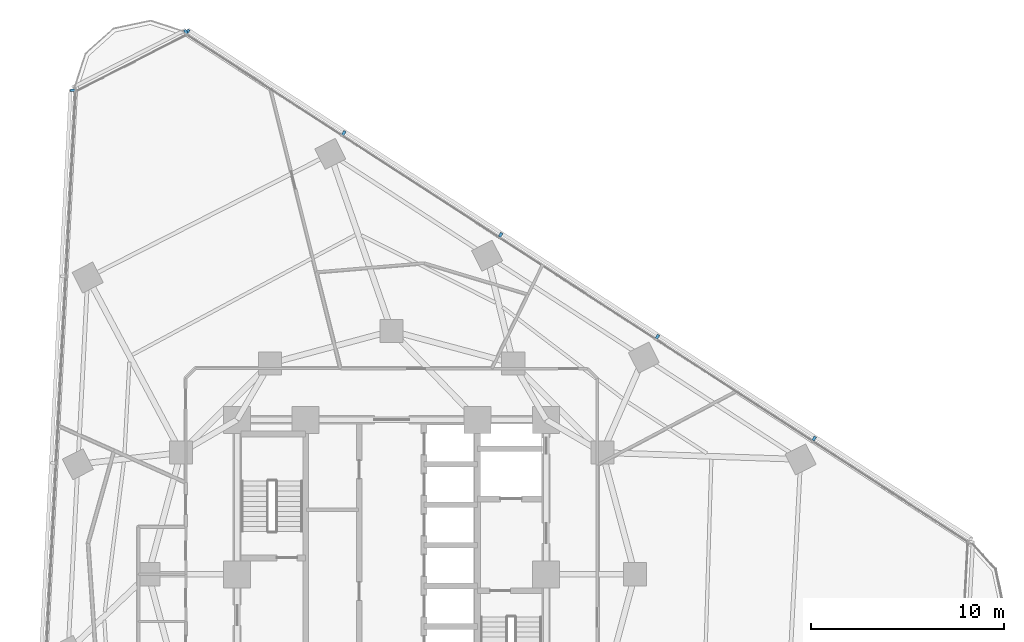
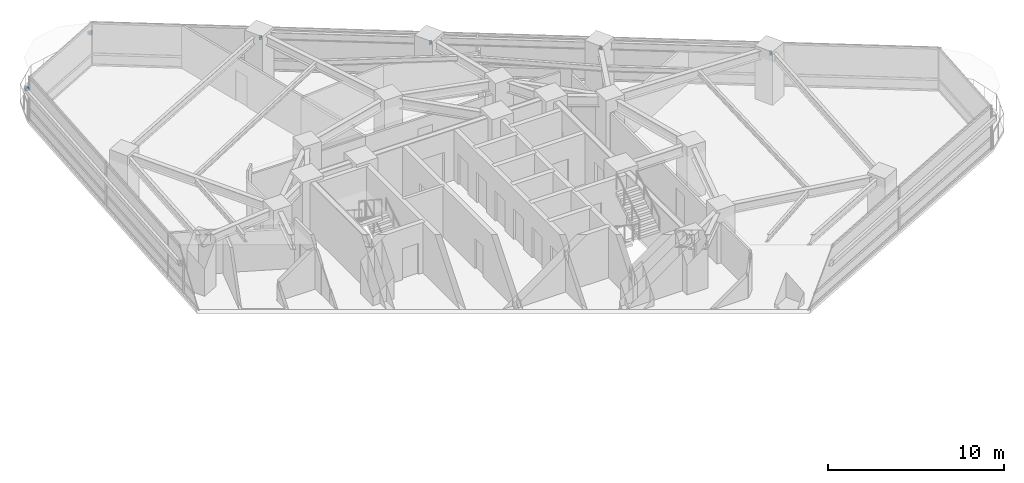
# One storey, part 11 of 14: 7 discrete accessories.
"""IFC4 building model written with IfcOpenShell, lengths in metres."""

import ifcopenshell
import ifcopenshell.guid

model = None  # the IFC model being written
_history = None  # IfcOwnerHistory: only IFC2X3 demands one
_inside = {}  # id of a spatial element -> (the spatial element, [elements in it])
_under = {}  # id of a project, library or spatial element -> (it, [spatial elements below it])
_declared = {}  # id of a project -> (the project, [libraries it declares])
_typed = {}  # id of a type object -> (the type object, [elements of that type])
_made_of = {}  # id of a material, layer set ... -> (it, [elements and type objects made of it])


def new_model(schema):
    """Start an empty IFC model of exactly this schema.

    Asked for "IFC4X3", IfcOpenShell would pick the latest addendum, in which some entities
    have other attributes; the version numbers below select the first issue.
    IFC2X3 requires an IfcOwnerHistory on every rooted entity: one is made here for all.
    """
    global model, _history
    if schema == "IFC4X3":
        model = ifcopenshell.file(schema_version=(4, 3, 0, 0))
    else:
        model = ifcopenshell.file(schema=schema)
    _inside.clear()
    _under.clear()
    _declared.clear()
    _typed.clear()
    _made_of.clear()
    _history = None
    if model.schema == "IFC2X3":
        org = make("IfcOrganization", Name="unknown")
        user = make(
            "IfcPersonAndOrganization",
            ThePerson=make("IfcPerson", FamilyName="unknown"),
            TheOrganization=org,
        )
        app = make(
            "IfcApplication",
            ApplicationDeveloper=org,
            Version="unknown",
            ApplicationFullName="unknown",
            ApplicationIdentifier="unknown",
        )
        _history = make(
            "IfcOwnerHistory",
            OwningUser=user,
            OwningApplication=app,
            ChangeAction="ADDED",
            CreationDate=0,
        )
    return model


def make(cls, **values):
    """One entity of the class cls with the attributes given. An attribute that is None is left unset."""
    return model.create_entity(
        cls, **{name: value for name, value in values.items() if value is not None}
    )


def rooted(cls, **values):
    """An entity with a GlobalId (a new one), such as an element, a storey or a relation."""
    return make(cls, GlobalId=ifcopenshell.guid.new(), OwnerHistory=_history, **values)


def si_unit(unit_type, name, prefix=None):
    """IfcSIUnit, for example si_unit("LENGTHUNIT", "METRE", prefix="MILLI")."""
    return make("IfcSIUnit", UnitType=unit_type, Prefix=prefix, Name=name)


def assignment(units):
    """IfcUnitAssignment: the units of a project."""
    return None if units is None else make("IfcUnitAssignment", Units=units)


def point(xyz):
    """IfcCartesianPoint."""
    return None if xyz is None else make("IfcCartesianPoint", Coordinates=xyz)


def direction(xyz):
    """IfcDirection."""
    return None if xyz is None else make("IfcDirection", DirectionRatios=xyz)


def frame(location, z_axis=None, x_axis=None):
    """IfcAxis2Placement3D, a coordinate frame: its origin and axes. An axis left out is left unset."""
    return make(
        "IfcAxis2Placement3D",
        Location=point(location),
        Axis=direction(z_axis),
        RefDirection=direction(x_axis),
    )


def frame_2d(location, x_axis=None):
    """IfcAxis2Placement2D, a coordinate frame in the plane: its origin and x axis."""
    return make(
        "IfcAxis2Placement2D", Location=point(location), RefDirection=direction(x_axis)
    )


def origin():
    """The frame at (0, 0, 0) with its axes left unset."""
    return frame((0.0, 0.0, 0.0))


def origin_2d():
    """The frame at (0, 0) in the plane with its x axis left unset."""
    return frame_2d((0.0, 0.0))


def place(relative_to, where):
    """IfcLocalPlacement: puts the frame where relative to a parent placement (None: the world)."""
    return make(
        "IfcLocalPlacement", PlacementRelTo=relative_to, RelativePlacement=where
    )


def context(
    kind, dimensions, precision=None, world=None, true_north=None, identifier=None
):
    """IfcGeometricRepresentationContext, for example the 3D "Model" context."""
    return make(
        "IfcGeometricRepresentationContext",
        ContextIdentifier=identifier,
        ContextType=kind,
        CoordinateSpaceDimension=dimensions,
        Precision=precision,
        WorldCoordinateSystem=world,
        TrueNorth=true_north,
    )


def subcontext(parent, identifier, kind, view, scale=None):
    """IfcGeometricRepresentationSubContext, for example "Body" below "Model"."""
    return make(
        "IfcGeometricRepresentationSubContext",
        ContextIdentifier=identifier,
        ContextType=kind,
        ParentContext=parent,
        TargetScale=scale,
        TargetView=view,
    )


def project(units=None, contexts=None):
    """IfcProject with its units and contexts."""
    return rooted(
        "IfcProject",
        Name="project",
        RepresentationContexts=contexts,
        UnitsInContext=assignment(units),
    )


def spatial(cls, under=None, at=None, **own):
    """A site, building, storey or space (cls), placed at a placement, below another one or the project."""
    s = rooted(cls, ObjectPlacement=at, **own)
    if under is not None:
        _under.setdefault(under.id(), (under, []))[1].append(s)
    return s


def profile(cls, at=None, kind="AREA", **sizes):
    """A parametric profile (cls). Its sizes go by their IFC names, for example OverallWidth=200.0."""
    return make(cls, ProfileType=kind, Position=at, **sizes)


def rectangle(**sizes):
    """IfcRectangleProfileDef."""
    return profile("IfcRectangleProfileDef", **sizes)


def extrude(swept, where, along, depth):
    """IfcExtrudedAreaSolid: the profile swept, set in the frame where, extruded along a direction by depth."""
    return make(
        "IfcExtrudedAreaSolid",
        SweptArea=swept,
        Position=where,
        ExtrudedDirection=direction(along),
        Depth=depth,
    )


def shape(context_of_items, identifier, shape_type, items):
    """IfcShapeRepresentation: the items that make up one representation, for example the "Body"."""
    return make(
        "IfcShapeRepresentation",
        ContextOfItems=context_of_items,
        RepresentationIdentifier=identifier,
        RepresentationType=shape_type,
        Items=items,
    )


def material(Name=None, Category=None):
    """IfcMaterial."""
    return make("IfcMaterial", Name=Name, Category=Category)


def made_of(thing, what):
    """Note that an element or type object is made of a material, layer set ...; save() writes the relation."""
    if what is not None:
        _made_of.setdefault(what.id(), (what, []))[1].append(thing)
    return thing


def type_object(cls, material=None, **own):
    """A type object (cls), such as IfcWallType, which elements share."""
    return made_of(rooted(cls, **own), material)


def element(
    cls,
    number,
    at=None,
    inside=None,
    cuts=None,
    type_object=None,
    material=None,
    context=None,
    identifier="Body",
    shape_type=None,
    held_by="IfcProductDefinitionShape",
    body=None,
    shapes=None,
    **own,
):
    """One element of the class cls, such as IfcWall. Its Tag is "e" and its number.

    at: its placement. inside: the storey or other place that contains it. cuts: it is an
    opening in that element (IfcRelVoidsElement). A single representation is given by context,
    identifier, shape_type and body (its items); several are given by shapes. held_by: the class
    of the entity that holds the representations. save() writes the other relations.
    """
    e = rooted(cls, Tag="e%d" % number, ObjectPlacement=at, **own)
    if body is not None:
        shapes = [shape(context, identifier, shape_type, body)]
    if shapes is not None:
        e.Representation = make(held_by, Representations=shapes)
    if inside is not None:
        _inside.setdefault(inside.id(), (inside, []))[1].append(e)
    if cuts is not None:
        rooted(
            "IfcRelVoidsElement", RelatingBuildingElement=cuts, RelatedOpeningElement=e
        )
    if type_object is not None:
        _typed.setdefault(type_object.id(), (type_object, []))[1].append(e)
    return made_of(e, material)


def aggregate(whole, parts):
    """IfcRelAggregates: a whole, such as a stair, and the parts it consists of."""
    return rooted("IfcRelAggregates", RelatingObject=whole, RelatedObjects=parts)


def save(model, path):
    """Write the relations noted so far, then the file.

    IfcRelAggregates (storeys below a building ...), IfcRelContainedInSpatialStructure (elements
    in a storey), IfcRelDefinesByType, IfcRelAssociatesMaterial and IfcRelDeclares: one each for
    every whole, place, type object, material and project.
    """
    for whole, parts in _under.values():
        aggregate(whole, parts)
    for where, things in _inside.values():
        rooted(
            "IfcRelContainedInSpatialStructure",
            RelatedElements=things,
            RelatingStructure=where,
        )
    for kind, things in _typed.values():
        rooted("IfcRelDefinesByType", RelatedObjects=things, RelatingType=kind)
    for what, things in _made_of.values():
        rooted("IfcRelAssociatesMaterial", RelatedObjects=things, RelatingMaterial=what)
    for by, libraries in _declared.values():
        rooted("IfcRelDeclares", RelatingContext=by, RelatedDefinitions=libraries)
    model.write(path)


model = new_model("IFC4")

# Units and contexts
model_context = context("Model", 3, precision=1e-05, world=origin(), true_north=direction((0.0, 1.0)))
body_context = subcontext(model_context, "Body", "Model", "MODEL_VIEW")
ifc_project = project(units=[si_unit("LENGTHUNIT", "METRE"), si_unit("AREAUNIT", "SQUARE_METRE"), si_unit("VOLUMEUNIT", "CUBIC_METRE"), si_unit("PLANEANGLEUNIT", "RADIAN"), si_unit("MASSUNIT", "GRAM", prefix="KILO")], contexts=[model_context])

# Site, building, storey
site_placement = place(None, origin())
site = spatial("IfcSite", under=ifc_project, at=site_placement, CompositionType="ELEMENT")
building_placement = place(site_placement, origin())
building = spatial("IfcBuilding", under=site, at=building_placement, Name="Terralouvre Media Tower", CompositionType="ELEMENT")
storey_placement = place(building_placement, frame((0.0, 0.0, 138.39990234375)))
storey = spatial("IfcBuildingStorey", under=building, at=storey_placement, Name="L35", CompositionType="ELEMENT", Elevation=138.39990234375)

# Discrete accessories
ifc_material = material(Name="Anodised extruded aluminium 6063-T6", Category="aluminium")
discrete_accessory_type = type_object("IfcDiscreteAccessoryType", Name="Mullion Stand-Off Baguette Fixing Bracket BK-01", PredefinedType="BRACKET", material=ifc_material)
for number, where, z_axis, x_axis, name in (
    (1, (21.87841796875, 7.030029296875, 2.07421875), (0.0, 0.0, 1.0), (-0.838670588944, 0.544639002681, 0.0), "CW-L35-F1 Baguette Outrigger Bracket 1.02"),
    (2, (13.76025390625, 12.30224609375, 2.07421875), (0.0, 0.0, 1.0), (-0.838670588944, 0.544639002681, 0.0), "CW-L35-F1 Baguette Outrigger Bracket 1.03"),
    (3, (5.641845703125, 17.574462890625, 2.07421875), (0.0, 0.0, 1.0), (-0.838670588944, 0.544639002681, 0.0), "CW-L35-F1 Baguette Outrigger Bracket 1.04"),
    (4, (-2.4765625, 22.846435546875, 2.07421875), (0.0, 0.0, 1.0), (-0.838670588944, 0.544639002681, 0.0), "CW-L35-F1 Baguette Outrigger Bracket 1.05"),
    (5, (-10.563232421875, 28.09814453125, 2.07421875), (0.0, 0.0, 1.0), (-0.838670588944, 0.544639002681, 0.0), "CW-L35-F1 Baguette Outrigger Bracket 1.06"),
    (6, (-16.52294921875, 25.0615234375, 2.07421875), (0.0, 0.0, 1.0), (-0.052335949864, -0.998629535089, 0.0), "CW-L35-F2 Baguette Outrigger Bracket 1.01"),
    (7, (-10.6591796875, 28.085693359375, 2.07421875), (0.0, 0.0, 1.0), (-0.891006600184, -0.45399035059, 0.0), "CW-L35-C2 Baguette Outrigger Bracket 1.01"),
):
    element("IfcDiscreteAccessory", number, at=place(storey_placement, frame(where, z_axis=z_axis, x_axis=x_axis)), inside=storey, type_object=discrete_accessory_type, Name=name, PredefinedType="BRACKET", context=body_context, shape_type="SweptSolid", body=[
        extrude(rectangle(XDim=0.139892578125, YDim=0.239990234375, at=origin_2d()), origin(), (0.0, 0.0, 1.0), 0.179931640625),
    ])

save(model, "model.ifc")
